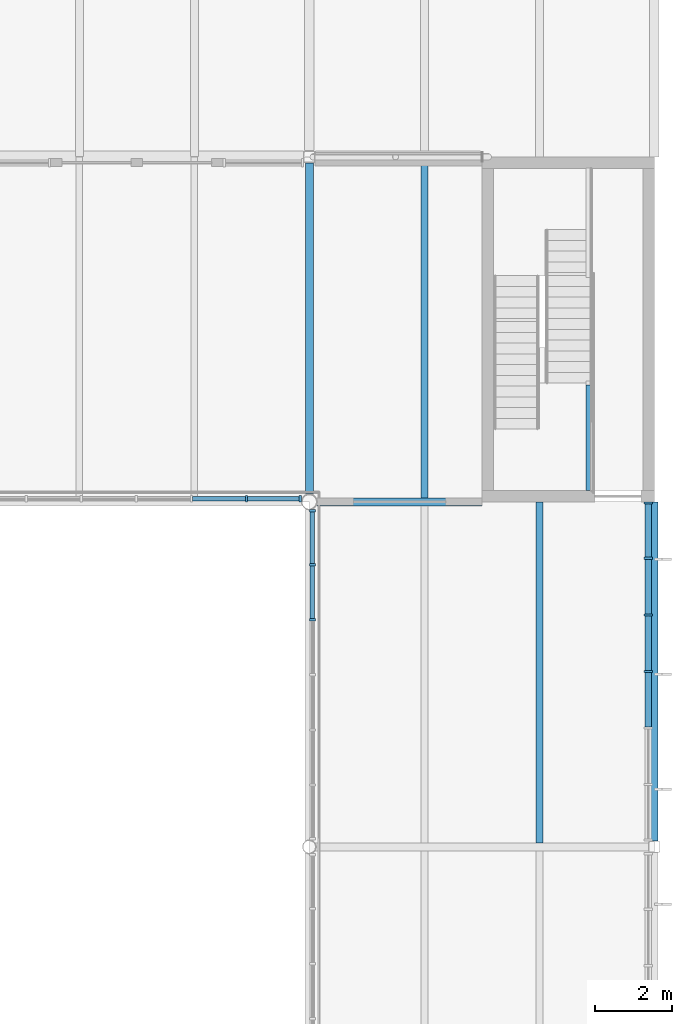
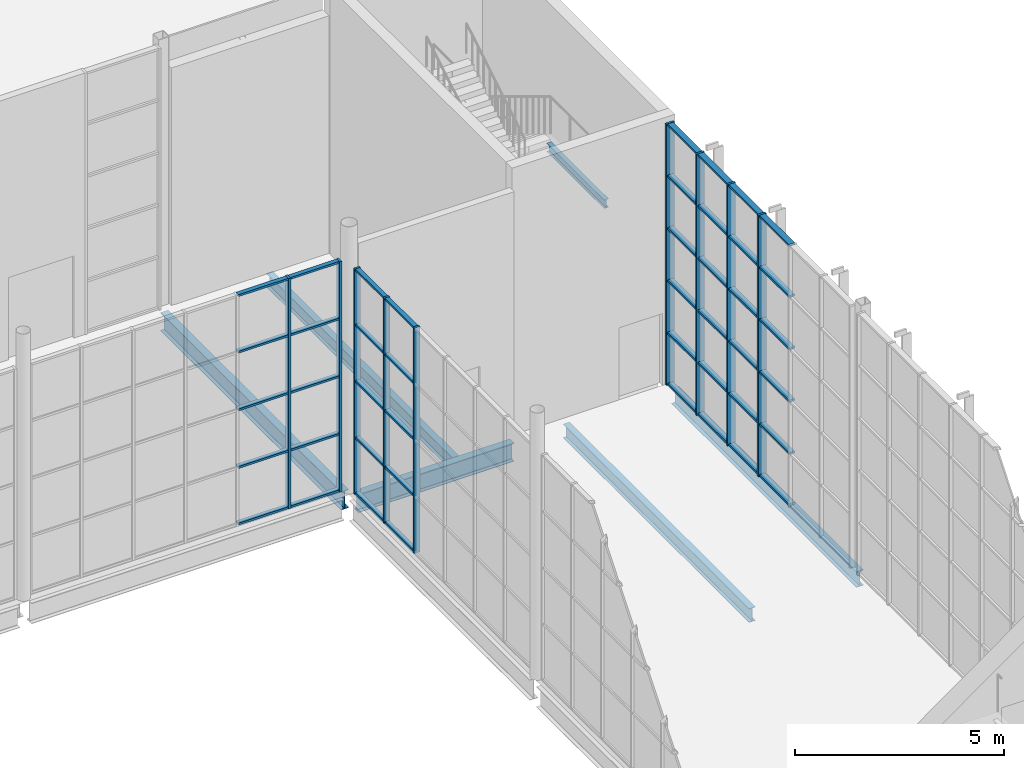
# One storey, part 58 of 90: 53 members, 6 beams, 3 elements without a shape of their own.
"""IFC4 building model written with IfcOpenShell, lengths in metres."""

from ifc_helpers import new_model, si_unit, direction, frame, origin, origin_2d, place, context, subcontext, project, spatial, rectangle, i_section, extrude, material, layer, layer_set, material_profile, profile_set, type_object, element, aggregate, save


model = new_model("IFC4")

# Units and contexts
model_context = context("Model", 3, precision=1e-05, world=origin(), true_north=direction((0.0, 1.0)))
body_context = subcontext(model_context, "Body", "Model", "MODEL_VIEW")
ifc_project = project(units=[si_unit("LENGTHUNIT", "METRE"), si_unit("AREAUNIT", "SQUARE_METRE"), si_unit("VOLUMEUNIT", "CUBIC_METRE"), si_unit("PLANEANGLEUNIT", "RADIAN"), si_unit("MASSUNIT", "GRAM", prefix="KILO")], contexts=[model_context])

# Site, building, storey
site_placement = place(None, origin())
site = spatial("IfcSite", under=ifc_project, at=site_placement, CompositionType="ELEMENT")
building_placement = place(site_placement, origin())
building = spatial("IfcBuilding", under=site, at=building_placement, Name="Halyard Row Museum", CompositionType="ELEMENT")
storey_placement = place(building_placement, frame((0.0, 0.0, 13.39990234375)))
storey = spatial("IfcBuildingStorey", under=building, at=storey_placement, Name="L03", CompositionType="ELEMENT", Elevation=13.39990234375)

# Curtain wall, members
ifc_material_1 = material(Name="Double glazed unit, low-emissivity", Category="glass")
ifc_layer_1 = layer(ifc_material_1, 0.219970703125)
ifc_layer_set_1 = layer_set([ifc_layer_1], Name="Double glazed unit, low-emissivity")
curtain_wall_type_1 = type_object("IfcCurtainWallType", Name="Curtain wall unitised 220 deep", PredefinedType="NOTDEFINED", material=ifc_layer_set_1)
curtain_wall_1_placement = place(storey_placement, origin())
curtain_wall_1 = element("IfcCurtainWall", 1, at=curtain_wall_1_placement, inside=storey, type_object=curtain_wall_type_1, Name="Curtain wall CW049", PredefinedType="NOTDEFINED")
ifc_material_2 = material(Name="Powder-coated aluminium section", Category="aluminium")
ifc_material_profile_1 = material_profile(ifc_material_2, rectangle(XDim=0.219970703125, YDim=0.06005859375, at=origin_2d()), Name="220x60 mullion")
ifc_profile_set_1 = profile_set([ifc_material_profile_1], Name="Powder-coated aluminium section")
member_type_1 = type_object("IfcMemberType", Name="Curtain wall mullion CM3 60 x 220", PredefinedType="MULLION", material=ifc_profile_set_1)
member_1_placement = place(storey_placement, frame((107.840087890625, 22.574951171875, 0.0), z_axis=(0.0, 0.0, 1.0), x_axis=(-1.0, 0.0, 0.0)))
member_1 = element("IfcMember", 2, at=member_1_placement, type_object=member_type_1, Name="CW049 mullion 4", PredefinedType="MULLION", context=body_context, shape_type="SweptSolid", body=[
    extrude(rectangle(XDim=0.219970703125, YDim=0.06005859375, at=origin_2d()), origin(), (0.0, 0.0, 1.0), 7.635009765625),
])
member_2_placement = place(storey_placement, frame((107.840087890625, 24.050048828125, 0.0), z_axis=(0.0, 0.0, 1.0), x_axis=(-1.0, 0.0, 0.0)))
member_2 = element("IfcMember", 3, at=member_2_placement, type_object=member_type_1, Name="CW049 mullion 5", PredefinedType="MULLION", context=body_context, shape_type="SweptSolid", body=[
    extrude(rectangle(XDim=0.219970703125, YDim=0.06005859375, at=origin_2d()), origin(), (0.0, 0.0, 1.0), 7.635009765625),
])
member_3_placement = place(storey_placement, frame((107.840087890625, 25.52490234375, 0.0), z_axis=(0.0, 0.0, 1.0), x_axis=(-1.0, 0.0, 0.0)))
member_3 = element("IfcMember", 4, at=member_3_placement, type_object=member_type_1, Name="CW049 mullion 6", PredefinedType="MULLION", context=body_context, shape_type="SweptSolid", body=[
    extrude(rectangle(XDim=0.219970703125, YDim=0.06005859375, at=origin_2d()), origin(), (0.0, 0.0, 1.0), 7.635009765625),
])
member_4_placement = place(storey_placement, frame((107.840087890625, 26.969970703125, 0.0), z_axis=(0.0, 0.0, 1.0), x_axis=(-1.0, 0.0, 0.0)))
member_4 = element("IfcMember", 5, at=member_4_placement, type_object=member_type_1, Name="CW049 mullion 7", PredefinedType="MULLION", context=body_context, shape_type="SweptSolid", body=[
    extrude(rectangle(XDim=0.219970703125, YDim=0.06005859375, at=origin_2d()), origin(), (0.0, 0.0, 1.0), 7.635009765625),
])

ifc_material_3 = material(Name="Fire-resisting laminated glazing", Category="glass")
ifc_layer_2 = layer(ifc_material_3, 0.159912109375)
ifc_layer_set_2 = layer_set([ifc_layer_2], Name="Fire-resisting laminated glazing")
curtain_wall_type_2 = type_object("IfcCurtainWallType", Name="Curtain wall atrium screen 160 deep", PredefinedType="NOTDEFINED", material=ifc_layer_set_2)
curtain_wall_2_placement = place(storey_placement, origin())
curtain_wall_2 = element("IfcCurtainWall", 6, at=curtain_wall_2_placement, inside=storey, type_object=curtain_wall_type_2, Name="Curtain wall CW097", PredefinedType="NOTDEFINED")
ifc_material_4 = material(Name="Powder-coated aluminium section", Category="aluminium")
ifc_material_profile_2 = material_profile(ifc_material_4, rectangle(XDim=0.159912109375, YDim=0.06005859375, at=origin_2d()), Name="160x60 mullion")
ifc_profile_set_2 = profile_set([ifc_material_profile_2], Name="Powder-coated aluminium section")
member_type_2 = type_object("IfcMemberType", Name="Curtain wall mullion CM5 60 x 160", PredefinedType="MULLION", material=ifc_profile_set_2)
member_5_placement = place(storey_placement, frame((99.080078125, 23.923828125, 0.0), z_axis=(0.0, 0.0, 1.0), x_axis=(-1.0, 0.0, 0.0)))
member_5 = element("IfcMember", 7, at=member_5_placement, type_object=member_type_2, Name="CW097 mullion 5", PredefinedType="MULLION", context=body_context, shape_type="SweptSolid", body=[
    extrude(rectangle(XDim=0.159912109375, YDim=0.06005859375, at=origin_2d()), origin(), (0.0, 0.0, 1.0), 6.585205078125),
])
member_6_placement = place(storey_placement, frame((99.080078125, 25.3603515625, 0.0), z_axis=(0.0, 0.0, 1.0), x_axis=(-1.0, 0.0, 0.0)))
member_6 = element("IfcMember", 8, at=member_6_placement, type_object=member_type_2, Name="CW097 mullion 6", PredefinedType="MULLION", context=body_context, shape_type="SweptSolid", body=[
    extrude(rectangle(XDim=0.159912109375, YDim=0.06005859375, at=origin_2d()), origin(), (0.0, 0.0, 1.0), 6.585205078125),
])
member_7_placement = place(storey_placement, frame((99.080078125, 26.766845703125, 0.0), z_axis=(0.0, 0.0, 1.0), x_axis=(-1.0, 0.0, 0.0)))
member_7 = element("IfcMember", 9, at=member_7_placement, type_object=member_type_2, Name="CW097 mullion 7", PredefinedType="MULLION", context=body_context, shape_type="SweptSolid", body=[
    extrude(rectangle(XDim=0.159912109375, YDim=0.06005859375, at=origin_2d()), origin(), (0.0, 0.0, 1.0), 6.585205078125),
])

curtain_wall_3_placement = place(storey_placement, origin())
curtain_wall_3 = element("IfcCurtainWall", 10, at=curtain_wall_3_placement, inside=storey, type_object=curtain_wall_type_2, Name="Curtain wall CW098", PredefinedType="NOTDEFINED")
member_8_placement = place(storey_placement, frame((98.766845703125, 27.080078125, 0.0), z_axis=(0.0, 0.0, 1.0), x_axis=(0.0, -1.0, 0.0)))
member_8 = element("IfcMember", 11, at=member_8_placement, type_object=member_type_2, Name="CW098 mullion 1", PredefinedType="MULLION", context=body_context, shape_type="SweptSolid", body=[
    extrude(rectangle(XDim=0.159912109375, YDim=0.06005859375, at=origin_2d()), origin(), (0.0, 0.0, 1.0), 6.732177734375),
])
member_9_placement = place(storey_placement, frame((97.3603515625, 27.080078125, 0.0), z_axis=(0.0, 0.0, 1.0), x_axis=(0.0, -1.0, 0.0)))
member_9 = element("IfcMember", 12, at=member_9_placement, type_object=member_type_2, Name="CW098 mullion 2", PredefinedType="MULLION", context=body_context, shape_type="SweptSolid", body=[
    extrude(rectangle(XDim=0.159912109375, YDim=0.06005859375, at=origin_2d()), origin(), (0.0, 0.0, 1.0), 6.732177734375),
])

# Member
ifc_material_5 = material(Name="Powder-coated aluminium section", Category="aluminium")
ifc_material_profile_3 = material_profile(ifc_material_5, rectangle(XDim=0.159912109375, YDim=0.06005859375, at=origin_2d()), Name="160x60 transom")
ifc_profile_set_3 = profile_set([ifc_material_profile_3], Name="Powder-coated aluminium section")
member_type_3 = type_object("IfcMemberType", Name="Curtain wall transom CT3 60 x 160", PredefinedType="USERDEFINED", material=ifc_profile_set_3)
member_10_placement = place(storey_placement, frame((107.840087890625, 21.1298828125, 0.030029296875), z_axis=(0.0, 1.0, 0.0), x_axis=(-1.0, 0.0, 0.0)))
member_10 = element("IfcMember", 13, at=member_10_placement, type_object=member_type_3, Name="CW049 transom 3.1", ObjectType="TRANSOM", PredefinedType="USERDEFINED", context=body_context, shape_type="SweptSolid", body=[
    extrude(rectangle(XDim=0.159912109375, YDim=0.06005859375, at=origin_2d()), origin(), (0.0, 0.0, 1.0), 1.4150390625),
])

member_11_placement = place(storey_placement, frame((107.840087890625, 21.1298828125, 1.527099609375), z_axis=(0.0, 1.0, 0.0), x_axis=(-1.0, 0.0, 0.0)))
member_11 = element("IfcMember", 14, at=member_11_placement, type_object=member_type_3, Name="CW049 transom 3.2", ObjectType="TRANSOM", PredefinedType="USERDEFINED", context=body_context, shape_type="SweptSolid", body=[
    extrude(rectangle(XDim=0.159912109375, YDim=0.06005859375, at=origin_2d()), origin(), (0.0, 0.0, 1.0), 1.4150390625),
])

member_12_placement = place(storey_placement, frame((107.840087890625, 21.1298828125, 3.05419921875), z_axis=(0.0, 1.0, 0.0), x_axis=(-1.0, 0.0, 0.0)))
member_12 = element("IfcMember", 15, at=member_12_placement, type_object=member_type_3, Name="CW049 transom 3.3", ObjectType="TRANSOM", PredefinedType="USERDEFINED", context=body_context, shape_type="SweptSolid", body=[
    extrude(rectangle(XDim=0.159912109375, YDim=0.06005859375, at=origin_2d()), origin(), (0.0, 0.0, 1.0), 1.4150390625),
])

member_13_placement = place(storey_placement, frame((107.840087890625, 21.1298828125, 4.5810546875), z_axis=(0.0, 1.0, 0.0), x_axis=(-1.0, 0.0, 0.0)))
member_13 = element("IfcMember", 16, at=member_13_placement, type_object=member_type_3, Name="CW049 transom 3.4", ObjectType="TRANSOM", PredefinedType="USERDEFINED", context=body_context, shape_type="SweptSolid", body=[
    extrude(rectangle(XDim=0.159912109375, YDim=0.06005859375, at=origin_2d()), origin(), (0.0, 0.0, 1.0), 1.4150390625),
])

member_14_placement = place(storey_placement, frame((107.840087890625, 21.1298828125, 6.108154296875), z_axis=(0.0, 1.0, 0.0), x_axis=(-1.0, 0.0, 0.0)))
member_14 = element("IfcMember", 17, at=member_14_placement, type_object=member_type_3, Name="CW049 transom 3.5", ObjectType="TRANSOM", PredefinedType="USERDEFINED", context=body_context, shape_type="SweptSolid", body=[
    extrude(rectangle(XDim=0.159912109375, YDim=0.06005859375, at=origin_2d()), origin(), (0.0, 0.0, 1.0), 1.4150390625),
])

member_15_placement = place(storey_placement, frame((107.840087890625, 21.1298828125, 7.60498046875), z_axis=(0.0, 1.0, 0.0), x_axis=(-1.0, 0.0, 0.0)))
member_15 = element("IfcMember", 18, at=member_15_placement, type_object=member_type_3, Name="CW049 transom 3.6", ObjectType="TRANSOM", PredefinedType="USERDEFINED", context=body_context, shape_type="SweptSolid", body=[
    extrude(rectangle(XDim=0.159912109375, YDim=0.06005859375, at=origin_2d()), origin(), (0.0, 0.0, 1.0), 1.4150390625),
])

member_16_placement = place(storey_placement, frame((107.840087890625, 22.60498046875, 0.030029296875), z_axis=(0.0, 1.0, 0.0), x_axis=(-1.0, 0.0, 0.0)))
member_16 = element("IfcMember", 19, at=member_16_placement, type_object=member_type_3, Name="CW049 transom 4.1", ObjectType="TRANSOM", PredefinedType="USERDEFINED", context=body_context, shape_type="SweptSolid", body=[
    extrude(rectangle(XDim=0.159912109375, YDim=0.06005859375, at=origin_2d()), origin(), (0.0, 0.0, 1.0), 1.4150390625),
])

member_17_placement = place(storey_placement, frame((107.840087890625, 22.60498046875, 1.527099609375), z_axis=(0.0, 1.0, 0.0), x_axis=(-1.0, 0.0, 0.0)))
member_17 = element("IfcMember", 20, at=member_17_placement, type_object=member_type_3, Name="CW049 transom 4.2", ObjectType="TRANSOM", PredefinedType="USERDEFINED", context=body_context, shape_type="SweptSolid", body=[
    extrude(rectangle(XDim=0.159912109375, YDim=0.06005859375, at=origin_2d()), origin(), (0.0, 0.0, 1.0), 1.4150390625),
])

member_18_placement = place(storey_placement, frame((107.840087890625, 22.60498046875, 3.05419921875), z_axis=(0.0, 1.0, 0.0), x_axis=(-1.0, 0.0, 0.0)))
member_18 = element("IfcMember", 21, at=member_18_placement, type_object=member_type_3, Name="CW049 transom 4.3", ObjectType="TRANSOM", PredefinedType="USERDEFINED", context=body_context, shape_type="SweptSolid", body=[
    extrude(rectangle(XDim=0.159912109375, YDim=0.06005859375, at=origin_2d()), origin(), (0.0, 0.0, 1.0), 1.4150390625),
])

member_19_placement = place(storey_placement, frame((107.840087890625, 22.60498046875, 4.5810546875), z_axis=(0.0, 1.0, 0.0), x_axis=(-1.0, 0.0, 0.0)))
member_19 = element("IfcMember", 22, at=member_19_placement, type_object=member_type_3, Name="CW049 transom 4.4", ObjectType="TRANSOM", PredefinedType="USERDEFINED", context=body_context, shape_type="SweptSolid", body=[
    extrude(rectangle(XDim=0.159912109375, YDim=0.06005859375, at=origin_2d()), origin(), (0.0, 0.0, 1.0), 1.4150390625),
])

member_20_placement = place(storey_placement, frame((107.840087890625, 22.60498046875, 6.108154296875), z_axis=(0.0, 1.0, 0.0), x_axis=(-1.0, 0.0, 0.0)))
member_20 = element("IfcMember", 23, at=member_20_placement, type_object=member_type_3, Name="CW049 transom 4.5", ObjectType="TRANSOM", PredefinedType="USERDEFINED", context=body_context, shape_type="SweptSolid", body=[
    extrude(rectangle(XDim=0.159912109375, YDim=0.06005859375, at=origin_2d()), origin(), (0.0, 0.0, 1.0), 1.4150390625),
])

member_21_placement = place(storey_placement, frame((107.840087890625, 22.60498046875, 7.60498046875), z_axis=(0.0, 1.0, 0.0), x_axis=(-1.0, 0.0, 0.0)))
member_21 = element("IfcMember", 24, at=member_21_placement, type_object=member_type_3, Name="CW049 transom 4.6", ObjectType="TRANSOM", PredefinedType="USERDEFINED", context=body_context, shape_type="SweptSolid", body=[
    extrude(rectangle(XDim=0.159912109375, YDim=0.06005859375, at=origin_2d()), origin(), (0.0, 0.0, 1.0), 1.4150390625),
])

member_22_placement = place(storey_placement, frame((107.840087890625, 24.080078125, 0.030029296875), z_axis=(0.0, 1.0, 0.0), x_axis=(-1.0, 0.0, 0.0)))
member_22 = element("IfcMember", 25, at=member_22_placement, type_object=member_type_3, Name="CW049 transom 5.1", ObjectType="TRANSOM", PredefinedType="USERDEFINED", context=body_context, shape_type="SweptSolid", body=[
    extrude(rectangle(XDim=0.159912109375, YDim=0.06005859375, at=origin_2d()), origin(), (0.0, 0.0, 1.0), 1.4150390625),
])

member_23_placement = place(storey_placement, frame((107.840087890625, 24.080078125, 1.527099609375), z_axis=(0.0, 1.0, 0.0), x_axis=(-1.0, 0.0, 0.0)))
member_23 = element("IfcMember", 26, at=member_23_placement, type_object=member_type_3, Name="CW049 transom 5.2", ObjectType="TRANSOM", PredefinedType="USERDEFINED", context=body_context, shape_type="SweptSolid", body=[
    extrude(rectangle(XDim=0.159912109375, YDim=0.06005859375, at=origin_2d()), origin(), (0.0, 0.0, 1.0), 1.4150390625),
])

member_24_placement = place(storey_placement, frame((107.840087890625, 24.080078125, 3.05419921875), z_axis=(0.0, 1.0, 0.0), x_axis=(-1.0, 0.0, 0.0)))
member_24 = element("IfcMember", 27, at=member_24_placement, type_object=member_type_3, Name="CW049 transom 5.3", ObjectType="TRANSOM", PredefinedType="USERDEFINED", context=body_context, shape_type="SweptSolid", body=[
    extrude(rectangle(XDim=0.159912109375, YDim=0.06005859375, at=origin_2d()), origin(), (0.0, 0.0, 1.0), 1.4150390625),
])

member_25_placement = place(storey_placement, frame((107.840087890625, 24.080078125, 4.5810546875), z_axis=(0.0, 1.0, 0.0), x_axis=(-1.0, 0.0, 0.0)))
member_25 = element("IfcMember", 28, at=member_25_placement, type_object=member_type_3, Name="CW049 transom 5.4", ObjectType="TRANSOM", PredefinedType="USERDEFINED", context=body_context, shape_type="SweptSolid", body=[
    extrude(rectangle(XDim=0.159912109375, YDim=0.06005859375, at=origin_2d()), origin(), (0.0, 0.0, 1.0), 1.4150390625),
])

member_26_placement = place(storey_placement, frame((107.840087890625, 24.080078125, 6.108154296875), z_axis=(0.0, 1.0, 0.0), x_axis=(-1.0, 0.0, 0.0)))
member_26 = element("IfcMember", 29, at=member_26_placement, type_object=member_type_3, Name="CW049 transom 5.5", ObjectType="TRANSOM", PredefinedType="USERDEFINED", context=body_context, shape_type="SweptSolid", body=[
    extrude(rectangle(XDim=0.159912109375, YDim=0.06005859375, at=origin_2d()), origin(), (0.0, 0.0, 1.0), 1.4150390625),
])

member_27_placement = place(storey_placement, frame((107.840087890625, 24.080078125, 7.60498046875), z_axis=(0.0, 1.0, 0.0), x_axis=(-1.0, 0.0, 0.0)))
member_27 = element("IfcMember", 30, at=member_27_placement, type_object=member_type_3, Name="CW049 transom 5.6", ObjectType="TRANSOM", PredefinedType="USERDEFINED", context=body_context, shape_type="SweptSolid", body=[
    extrude(rectangle(XDim=0.159912109375, YDim=0.06005859375, at=origin_2d()), origin(), (0.0, 0.0, 1.0), 1.4150390625),
])

member_28_placement = place(storey_placement, frame((107.840087890625, 25.554931640625, 0.030029296875), z_axis=(0.0, 1.0, 0.0), x_axis=(-1.0, 0.0, 0.0)))
member_28 = element("IfcMember", 31, at=member_28_placement, type_object=member_type_3, Name="CW049 transom 6.1", ObjectType="TRANSOM", PredefinedType="USERDEFINED", context=body_context, shape_type="SweptSolid", body=[
    extrude(rectangle(XDim=0.159912109375, YDim=0.06005859375, at=origin_2d()), origin(), (0.0, 0.0, 1.0), 1.385009765625),
])

member_29_placement = place(storey_placement, frame((107.840087890625, 25.554931640625, 1.527099609375), z_axis=(0.0, 1.0, 0.0), x_axis=(-1.0, 0.0, 0.0)))
member_29 = element("IfcMember", 32, at=member_29_placement, type_object=member_type_3, Name="CW049 transom 6.2", ObjectType="TRANSOM", PredefinedType="USERDEFINED", context=body_context, shape_type="SweptSolid", body=[
    extrude(rectangle(XDim=0.159912109375, YDim=0.06005859375, at=origin_2d()), origin(), (0.0, 0.0, 1.0), 1.385009765625),
])

member_30_placement = place(storey_placement, frame((107.840087890625, 25.554931640625, 3.05419921875), z_axis=(0.0, 1.0, 0.0), x_axis=(-1.0, 0.0, 0.0)))
member_30 = element("IfcMember", 33, at=member_30_placement, type_object=member_type_3, Name="CW049 transom 6.3", ObjectType="TRANSOM", PredefinedType="USERDEFINED", context=body_context, shape_type="SweptSolid", body=[
    extrude(rectangle(XDim=0.159912109375, YDim=0.06005859375, at=origin_2d()), origin(), (0.0, 0.0, 1.0), 1.385009765625),
])

member_31_placement = place(storey_placement, frame((107.840087890625, 25.554931640625, 4.5810546875), z_axis=(0.0, 1.0, 0.0), x_axis=(-1.0, 0.0, 0.0)))
member_31 = element("IfcMember", 34, at=member_31_placement, type_object=member_type_3, Name="CW049 transom 6.4", ObjectType="TRANSOM", PredefinedType="USERDEFINED", context=body_context, shape_type="SweptSolid", body=[
    extrude(rectangle(XDim=0.159912109375, YDim=0.06005859375, at=origin_2d()), origin(), (0.0, 0.0, 1.0), 1.385009765625),
])

member_32_placement = place(storey_placement, frame((107.840087890625, 25.554931640625, 6.108154296875), z_axis=(0.0, 1.0, 0.0), x_axis=(-1.0, 0.0, 0.0)))
member_32 = element("IfcMember", 35, at=member_32_placement, type_object=member_type_3, Name="CW049 transom 6.5", ObjectType="TRANSOM", PredefinedType="USERDEFINED", context=body_context, shape_type="SweptSolid", body=[
    extrude(rectangle(XDim=0.159912109375, YDim=0.06005859375, at=origin_2d()), origin(), (0.0, 0.0, 1.0), 1.385009765625),
])

member_33_placement = place(storey_placement, frame((107.840087890625, 25.554931640625, 7.60498046875), z_axis=(0.0, 1.0, 0.0), x_axis=(-1.0, 0.0, 0.0)))
member_33 = element("IfcMember", 36, at=member_33_placement, type_object=member_type_3, Name="CW049 transom 6.6", ObjectType="TRANSOM", PredefinedType="USERDEFINED", context=body_context, shape_type="SweptSolid", body=[
    extrude(rectangle(XDim=0.159912109375, YDim=0.06005859375, at=origin_2d()), origin(), (0.0, 0.0, 1.0), 1.385009765625),
])

aggregate(curtain_wall_1, [member_1, member_2, member_3, member_4, member_10, member_11, member_12, member_13, member_14, member_15, member_16, member_17, member_18, member_19, member_20, member_21, member_22, member_23, member_24, member_25, member_26, member_27, member_28, member_29, member_30, member_31, member_32, member_33])

ifc_material_6 = material(Name="Powder-coated aluminium section", Category="aluminium")
ifc_material_profile_4 = material_profile(ifc_material_6, rectangle(XDim=0.1201171875, YDim=0.06005859375, at=origin_2d()), Name="120x60 transom")
ifc_profile_set_4 = profile_set([ifc_material_profile_4], Name="Powder-coated aluminium section")
member_type_4 = type_object("IfcMemberType", Name="Curtain wall transom CT5 60 x 120", PredefinedType="USERDEFINED", material=ifc_profile_set_4)
member_34_placement = place(storey_placement, frame((99.080078125, 23.953857421875, 0.030029296875), z_axis=(0.0, 1.0, 0.0), x_axis=(-1.0, 0.0, 0.0)))
member_34 = element("IfcMember", 37, at=member_34_placement, type_object=member_type_4, Name="CW097 transom 5.1", ObjectType="TRANSOM", PredefinedType="USERDEFINED", context=body_context, shape_type="SweptSolid", body=[
    extrude(rectangle(XDim=0.1201171875, YDim=0.06005859375, at=origin_2d()), origin(), (0.0, 0.0, 1.0), 1.37646484375),
])

member_35_placement = place(storey_placement, frame((99.080078125, 23.953857421875, 1.646240234375), z_axis=(0.0, 1.0, 0.0), x_axis=(-1.0, 0.0, 0.0)))
member_35 = element("IfcMember", 38, at=member_35_placement, type_object=member_type_4, Name="CW097 transom 5.2", ObjectType="TRANSOM", PredefinedType="USERDEFINED", context=body_context, shape_type="SweptSolid", body=[
    extrude(rectangle(XDim=0.1201171875, YDim=0.06005859375, at=origin_2d()), origin(), (0.0, 0.0, 1.0), 1.37646484375),
])

member_36_placement = place(storey_placement, frame((99.080078125, 23.953857421875, 3.29248046875), z_axis=(0.0, 1.0, 0.0), x_axis=(-1.0, 0.0, 0.0)))
member_36 = element("IfcMember", 39, at=member_36_placement, type_object=member_type_4, Name="CW097 transom 5.3", ObjectType="TRANSOM", PredefinedType="USERDEFINED", context=body_context, shape_type="SweptSolid", body=[
    extrude(rectangle(XDim=0.1201171875, YDim=0.06005859375, at=origin_2d()), origin(), (0.0, 0.0, 1.0), 1.37646484375),
])

member_37_placement = place(storey_placement, frame((99.080078125, 23.953857421875, 4.93896484375), z_axis=(0.0, 1.0, 0.0), x_axis=(-1.0, 0.0, 0.0)))
member_37 = element("IfcMember", 40, at=member_37_placement, type_object=member_type_4, Name="CW097 transom 5.4", ObjectType="TRANSOM", PredefinedType="USERDEFINED", context=body_context, shape_type="SweptSolid", body=[
    extrude(rectangle(XDim=0.1201171875, YDim=0.06005859375, at=origin_2d()), origin(), (0.0, 0.0, 1.0), 1.37646484375),
])

member_38_placement = place(storey_placement, frame((99.080078125, 23.953857421875, 6.55517578125), z_axis=(0.0, 1.0, 0.0), x_axis=(-1.0, 0.0, 0.0)))
member_38 = element("IfcMember", 41, at=member_38_placement, type_object=member_type_4, Name="CW097 transom 5.5", ObjectType="TRANSOM", PredefinedType="USERDEFINED", context=body_context, shape_type="SweptSolid", body=[
    extrude(rectangle(XDim=0.1201171875, YDim=0.06005859375, at=origin_2d()), origin(), (0.0, 0.0, 1.0), 1.37646484375),
])

member_39_placement = place(storey_placement, frame((99.080078125, 25.390380859375, 0.030029296875), z_axis=(0.0, 1.0, 0.0), x_axis=(-1.0, 0.0, 0.0)))
member_39 = element("IfcMember", 42, at=member_39_placement, type_object=member_type_4, Name="CW097 transom 6.1", ObjectType="TRANSOM", PredefinedType="USERDEFINED", context=body_context, shape_type="SweptSolid", body=[
    extrude(rectangle(XDim=0.1201171875, YDim=0.06005859375, at=origin_2d()), origin(), (0.0, 0.0, 1.0), 1.346435546875),
])

member_40_placement = place(storey_placement, frame((99.080078125, 25.390380859375, 1.646240234375), z_axis=(0.0, 1.0, 0.0), x_axis=(-1.0, 0.0, 0.0)))
member_40 = element("IfcMember", 43, at=member_40_placement, type_object=member_type_4, Name="CW097 transom 6.2", ObjectType="TRANSOM", PredefinedType="USERDEFINED", context=body_context, shape_type="SweptSolid", body=[
    extrude(rectangle(XDim=0.1201171875, YDim=0.06005859375, at=origin_2d()), origin(), (0.0, 0.0, 1.0), 1.346435546875),
])

member_41_placement = place(storey_placement, frame((99.080078125, 25.390380859375, 3.29248046875), z_axis=(0.0, 1.0, 0.0), x_axis=(-1.0, 0.0, 0.0)))
member_41 = element("IfcMember", 44, at=member_41_placement, type_object=member_type_4, Name="CW097 transom 6.3", ObjectType="TRANSOM", PredefinedType="USERDEFINED", context=body_context, shape_type="SweptSolid", body=[
    extrude(rectangle(XDim=0.1201171875, YDim=0.06005859375, at=origin_2d()), origin(), (0.0, 0.0, 1.0), 1.346435546875),
])

member_42_placement = place(storey_placement, frame((99.080078125, 25.390380859375, 4.93896484375), z_axis=(0.0, 1.0, 0.0), x_axis=(-1.0, 0.0, 0.0)))
member_42 = element("IfcMember", 45, at=member_42_placement, type_object=member_type_4, Name="CW097 transom 6.4", ObjectType="TRANSOM", PredefinedType="USERDEFINED", context=body_context, shape_type="SweptSolid", body=[
    extrude(rectangle(XDim=0.1201171875, YDim=0.06005859375, at=origin_2d()), origin(), (0.0, 0.0, 1.0), 1.346435546875),
])

member_43_placement = place(storey_placement, frame((99.080078125, 25.390380859375, 6.55517578125), z_axis=(0.0, 1.0, 0.0), x_axis=(-1.0, 0.0, 0.0)))
member_43 = element("IfcMember", 46, at=member_43_placement, type_object=member_type_4, Name="CW097 transom 6.5", ObjectType="TRANSOM", PredefinedType="USERDEFINED", context=body_context, shape_type="SweptSolid", body=[
    extrude(rectangle(XDim=0.1201171875, YDim=0.06005859375, at=origin_2d()), origin(), (0.0, 0.0, 1.0), 1.346435546875),
])

aggregate(curtain_wall_2, [member_5, member_6, member_7, member_34, member_35, member_36, member_37, member_38, member_39, member_40, member_41, member_42, member_43])

member_44_placement = place(storey_placement, frame((98.73681640625, 27.080078125, 0.030029296875), z_axis=(-1.0, 0.0, 0.0), x_axis=(0.0, -1.0, 0.0)))
member_44 = element("IfcMember", 47, at=member_44_placement, type_object=member_type_4, Name="CW098 transom 1.1", ObjectType="TRANSOM", PredefinedType="USERDEFINED", context=body_context, shape_type="SweptSolid", body=[
    extrude(rectangle(XDim=0.1201171875, YDim=0.06005859375, at=origin_2d()), origin(), (0.0, 0.0, 1.0), 1.346435546875),
])

member_45_placement = place(storey_placement, frame((98.73681640625, 27.080078125, 1.68310546875), z_axis=(-1.0, 0.0, 0.0), x_axis=(0.0, -1.0, 0.0)))
member_45 = element("IfcMember", 48, at=member_45_placement, type_object=member_type_4, Name="CW098 transom 1.2", ObjectType="TRANSOM", PredefinedType="USERDEFINED", context=body_context, shape_type="SweptSolid", body=[
    extrude(rectangle(XDim=0.1201171875, YDim=0.06005859375, at=origin_2d()), origin(), (0.0, 0.0, 1.0), 1.346435546875),
])

member_46_placement = place(storey_placement, frame((98.73681640625, 27.080078125, 3.3662109375), z_axis=(-1.0, 0.0, 0.0), x_axis=(0.0, -1.0, 0.0)))
member_46 = element("IfcMember", 49, at=member_46_placement, type_object=member_type_4, Name="CW098 transom 1.3", ObjectType="TRANSOM", PredefinedType="USERDEFINED", context=body_context, shape_type="SweptSolid", body=[
    extrude(rectangle(XDim=0.1201171875, YDim=0.06005859375, at=origin_2d()), origin(), (0.0, 0.0, 1.0), 1.346435546875),
])

member_47_placement = place(storey_placement, frame((98.73681640625, 27.080078125, 5.049072265625), z_axis=(-1.0, 0.0, 0.0), x_axis=(0.0, -1.0, 0.0)))
member_47 = element("IfcMember", 50, at=member_47_placement, type_object=member_type_4, Name="CW098 transom 1.4", ObjectType="TRANSOM", PredefinedType="USERDEFINED", context=body_context, shape_type="SweptSolid", body=[
    extrude(rectangle(XDim=0.1201171875, YDim=0.06005859375, at=origin_2d()), origin(), (0.0, 0.0, 1.0), 1.346435546875),
])

member_48_placement = place(storey_placement, frame((98.73681640625, 27.080078125, 6.7021484375), z_axis=(-1.0, 0.0, 0.0), x_axis=(0.0, -1.0, 0.0)))
member_48 = element("IfcMember", 51, at=member_48_placement, type_object=member_type_4, Name="CW098 transom 1.5", ObjectType="TRANSOM", PredefinedType="USERDEFINED", context=body_context, shape_type="SweptSolid", body=[
    extrude(rectangle(XDim=0.1201171875, YDim=0.06005859375, at=origin_2d()), origin(), (0.0, 0.0, 1.0), 1.346435546875),
])

member_49_placement = place(storey_placement, frame((97.330322265625, 27.080078125, 0.030029296875), z_axis=(-1.0, 0.0, 0.0), x_axis=(0.0, -1.0, 0.0)))
member_49 = element("IfcMember", 52, at=member_49_placement, type_object=member_type_4, Name="CW098 transom 2.1", ObjectType="TRANSOM", PredefinedType="USERDEFINED", context=body_context, shape_type="SweptSolid", body=[
    extrude(rectangle(XDim=0.1201171875, YDim=0.06005859375, at=origin_2d()), origin(), (0.0, 0.0, 1.0), 1.37646484375),
])

member_50_placement = place(storey_placement, frame((97.330322265625, 27.080078125, 1.68310546875), z_axis=(-1.0, 0.0, 0.0), x_axis=(0.0, -1.0, 0.0)))
member_50 = element("IfcMember", 53, at=member_50_placement, type_object=member_type_4, Name="CW098 transom 2.2", ObjectType="TRANSOM", PredefinedType="USERDEFINED", context=body_context, shape_type="SweptSolid", body=[
    extrude(rectangle(XDim=0.1201171875, YDim=0.06005859375, at=origin_2d()), origin(), (0.0, 0.0, 1.0), 1.37646484375),
])

member_51_placement = place(storey_placement, frame((97.330322265625, 27.080078125, 3.3662109375), z_axis=(-1.0, 0.0, 0.0), x_axis=(0.0, -1.0, 0.0)))
member_51 = element("IfcMember", 54, at=member_51_placement, type_object=member_type_4, Name="CW098 transom 2.3", ObjectType="TRANSOM", PredefinedType="USERDEFINED", context=body_context, shape_type="SweptSolid", body=[
    extrude(rectangle(XDim=0.1201171875, YDim=0.06005859375, at=origin_2d()), origin(), (0.0, 0.0, 1.0), 1.37646484375),
])

member_52_placement = place(storey_placement, frame((97.330322265625, 27.080078125, 5.049072265625), z_axis=(-1.0, 0.0, 0.0), x_axis=(0.0, -1.0, 0.0)))
member_52 = element("IfcMember", 55, at=member_52_placement, type_object=member_type_4, Name="CW098 transom 2.4", ObjectType="TRANSOM", PredefinedType="USERDEFINED", context=body_context, shape_type="SweptSolid", body=[
    extrude(rectangle(XDim=0.1201171875, YDim=0.06005859375, at=origin_2d()), origin(), (0.0, 0.0, 1.0), 1.37646484375),
])

member_53_placement = place(storey_placement, frame((97.330322265625, 27.080078125, 6.7021484375), z_axis=(-1.0, 0.0, 0.0), x_axis=(0.0, -1.0, 0.0)))
member_53 = element("IfcMember", 56, at=member_53_placement, type_object=member_type_4, Name="CW098 transom 2.5", ObjectType="TRANSOM", PredefinedType="USERDEFINED", context=body_context, shape_type="SweptSolid", body=[
    extrude(rectangle(XDim=0.1201171875, YDim=0.06005859375, at=origin_2d()), origin(), (0.0, 0.0, 1.0), 1.37646484375),
])

aggregate(curtain_wall_3, [member_8, member_9, member_44, member_45, member_46, member_47, member_48, member_49, member_50, member_51, member_52, member_53])

# Beams
ifc_material_7 = material(Name="Steel Grade 300", Category="steel")
ifc_material_profile_5 = material_profile(ifc_material_7, i_section(OverallWidth=0.18994140625, OverallDepth=0.45751953125, WebThickness=0.009033203125, FlangeThickness=0.014404296875, FilletRadius=0.011474609375, at=origin_2d()), Name="460UB74.6")
ifc_profile_set_5 = profile_set([ifc_material_profile_5], Name="Steel Grade 300")
beam_type_1 = type_object("IfcBeamType", Name="Edge beam 460UB74.6", PredefinedType="BEAM", material=ifc_profile_set_5)
beam_1_placement = place(storey_placement, frame((108.0, 18.14990234375, -0.3935546875), z_axis=(0.0, 1.0, 0.0), x_axis=(-1.0, 0.0, 0.0)))
element("IfcBeam", 57, at=beam_1_placement, inside=storey, type_object=beam_type_1, Name="Beam L03-072", PredefinedType="BEAM", context=body_context, shape_type="SweptSolid", body=[
    extrude(i_section(OverallWidth=0.18994140625, OverallDepth=0.45751953125, WebThickness=0.009033203125, FlangeThickness=0.014404296875, FilletRadius=0.011474609375, at=origin_2d()), origin(), (0.0, 0.0, 1.0), 8.85009765625),
])
ifc_material_8 = material(Name="Steel Grade 300", Category="steel")
ifc_material_profile_6 = material_profile(ifc_material_8, i_section(OverallWidth=0.208984375, OverallDepth=0.532958984375, WebThickness=0.01025390625, FlangeThickness=0.015625, FilletRadius=0.013916015625, at=origin_2d()), Name="530UB92.4")
ifc_profile_set_6 = profile_set([ifc_material_profile_6], Name="Steel Grade 300")
beam_type_2 = type_object("IfcBeamType", Name="Girder beam 530UB92.4", PredefinedType="BEAM", material=ifc_profile_set_6)
beam_2_placement = place(storey_placement, frame((99.203125, 27.0, -0.431396484375), z_axis=(1.0, 0.0, 0.0), x_axis=(0.0, 1.0, 0.0)))
element("IfcBeam", 58, at=beam_2_placement, inside=storey, type_object=beam_type_2, Name="Beam L03-026", PredefinedType="BEAM", context=body_context, shape_type="SweptSolid", body=[
    extrude(i_section(OverallWidth=0.208984375, OverallDepth=0.532958984375, WebThickness=0.01025390625, FlangeThickness=0.015625, FilletRadius=0.013916015625, at=origin_2d()), origin(), (0.0, 0.0, 1.0), 4.296875),
])
beam_3_placement = place(storey_placement, frame((99.0, 27.203125, -0.431396484375), z_axis=(0.0, 1.0, 0.0), x_axis=(-1.0, 0.0, 0.0)))
element("IfcBeam", 59, at=beam_3_placement, inside=storey, type_object=beam_type_2, Name="Beam L03-068", PredefinedType="BEAM", context=body_context, shape_type="SweptSolid", body=[
    extrude(i_section(OverallWidth=0.208984375, OverallDepth=0.532958984375, WebThickness=0.01025390625, FlangeThickness=0.015625, FilletRadius=0.013916015625, at=origin_2d()), origin(), (0.0, 0.0, 1.0), 8.636474609375),
])
ifc_material_9 = material(Name="Steel Grade 300", Category="steel")
ifc_material_profile_7 = material_profile(ifc_material_9, i_section(OverallWidth=0.1240234375, OverallDepth=0.248046875, WebThickness=0.0048828125, FlangeThickness=0.008056640625, FilletRadius=0.011962890625, at=origin_2d()), Name="250UB25.7")
ifc_profile_set_7 = profile_set([ifc_material_profile_7], Name="Steel Grade 300")
beam_type_3 = type_object("IfcBeamType", Name="Landing trimmer 250UB25.7", PredefinedType="BEAM", material=ifc_profile_set_7)
beam_4_placement = place(storey_placement, frame((106.278076171875, 27.297119140625, 5.61083984375), z_axis=(0.0, 1.0, 0.0), x_axis=(-1.0, 0.0, 0.0)))
element("IfcBeam", 60, at=beam_4_placement, inside=storey, type_object=beam_type_3, Name="Landing ledger K2C L03 3", PredefinedType="BEAM", context=body_context, shape_type="SweptSolid", body=[
    extrude(i_section(OverallWidth=0.1240234375, OverallDepth=0.248046875, WebThickness=0.0048828125, FlangeThickness=0.008056640625, FilletRadius=0.011962890625, at=origin_2d()), origin(), (0.0, 0.0, 1.0), 2.7529296875),
])
ifc_material_10 = material(Name="Steel Grade 300", Category="steel")
ifc_material_profile_8 = material_profile(ifc_material_10, i_section(OverallWidth=0.177978515625, OverallDepth=0.406494140625, WebThickness=0.0078125, FlangeThickness=0.0126953125, FilletRadius=0.011474609375, at=origin_2d()), Name="410UB59.7")
ifc_profile_set_8 = profile_set([ifc_material_profile_8], Name="Steel Grade 300")
beam_type_4 = type_object("IfcBeamType", Name="Secondary beam 410UB59.7", PredefinedType="BEAM", material=ifc_profile_set_8)
beam_5_placement = place(storey_placement, frame((105.0, 18.1044921875, -0.3681640625), z_axis=(0.0, 1.0, 0.0), x_axis=(-1.0, 0.0, 0.0)))
element("IfcBeam", 61, at=beam_5_placement, inside=storey, type_object=beam_type_4, Name="Beam L03-094", PredefinedType="BEAM", context=body_context, shape_type="SweptSolid", body=[
    extrude(i_section(OverallWidth=0.177978515625, OverallDepth=0.406494140625, WebThickness=0.0078125, FlangeThickness=0.0126953125, FilletRadius=0.011474609375, at=origin_2d()), origin(), (0.0, 0.0, 1.0), 8.8955078125),
])
beam_6_placement = place(storey_placement, frame((102.0, 27.1044921875, -0.3681640625), z_axis=(0.0, 1.0, 0.0), x_axis=(-1.0, 0.0, 0.0)))
element("IfcBeam", 62, at=beam_6_placement, inside=storey, type_object=beam_type_4, Name="Beam L03-110", PredefinedType="BEAM", context=body_context, shape_type="SweptSolid", body=[
    extrude(i_section(OverallWidth=0.177978515625, OverallDepth=0.406494140625, WebThickness=0.0078125, FlangeThickness=0.0126953125, FilletRadius=0.011474609375, at=origin_2d()), origin(), (0.0, 0.0, 1.0), 8.887451171875),
])

save(model, "model.ifc")
